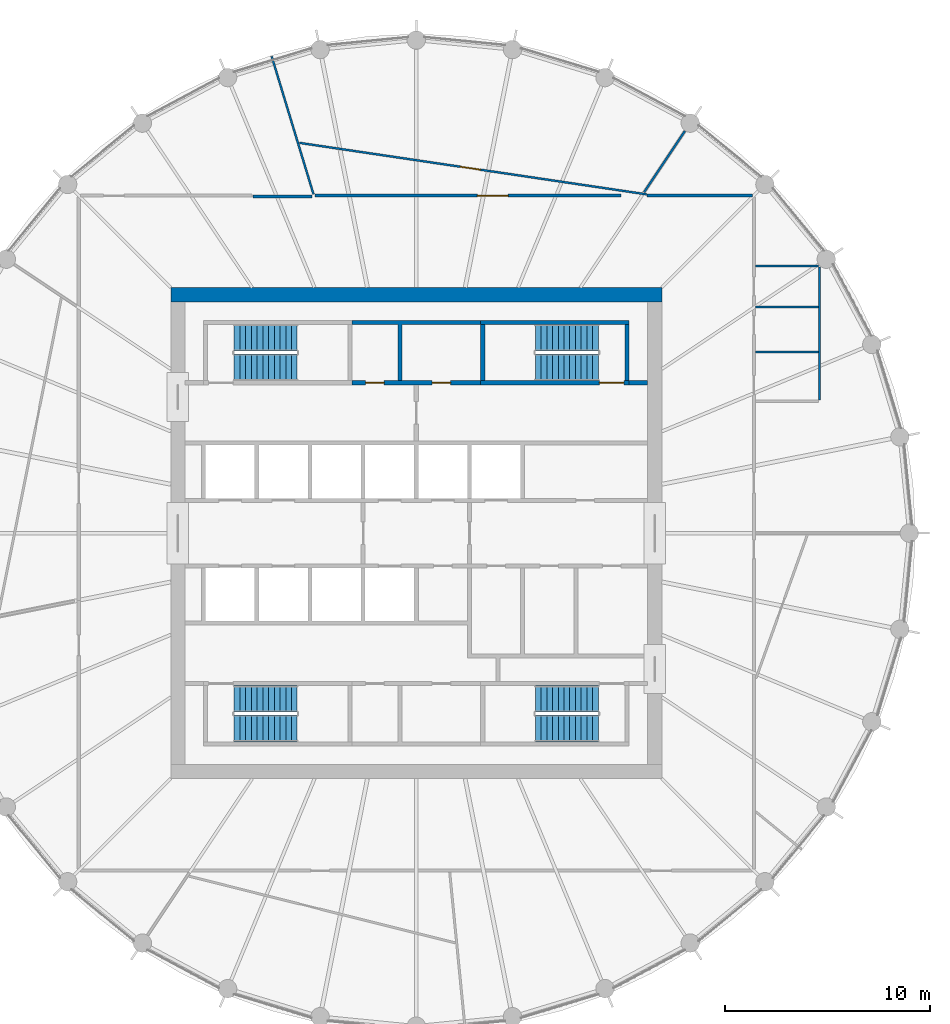
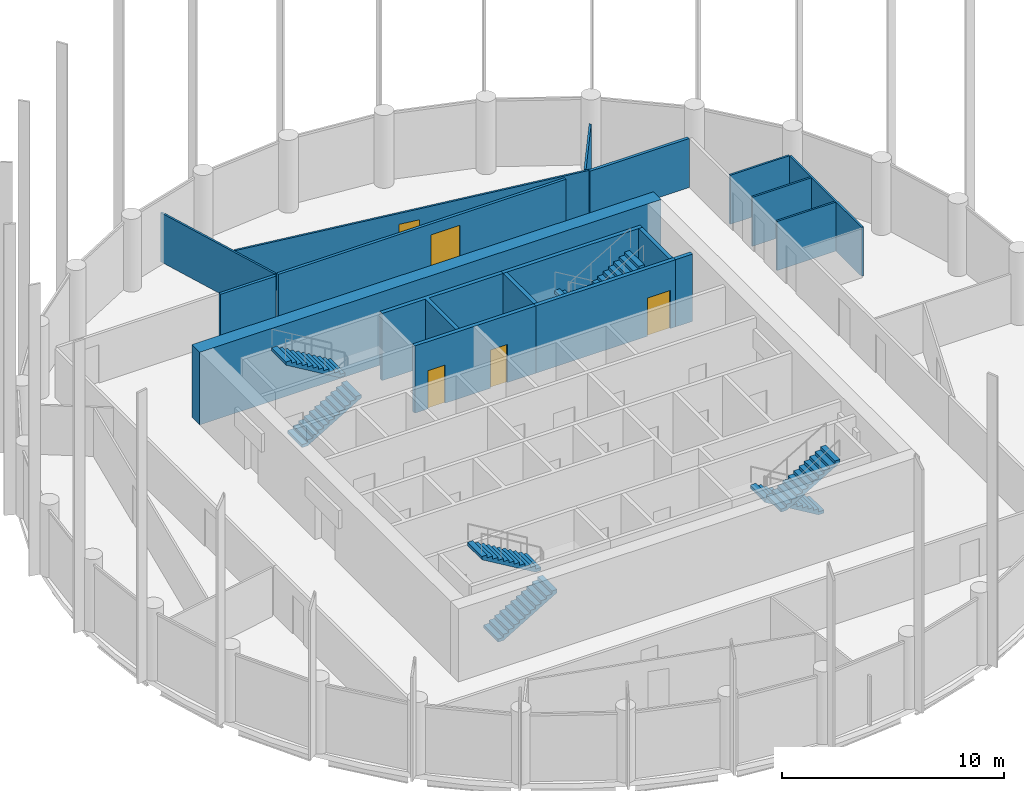
# One storey, part 6 of 7: 18 walls, 8 stair flights, 5 doors, 5 openings, 4 elements without a shape of their own.
"""IFC4 building model written with IfcOpenShell, lengths in metres."""

from ifc_helpers import new_model, si_unit, direction, frame, frame_2d, origin, place, context, subcontext, project, spatial, polyline, rectangle, outline, extrude, material, layer, layer_set, type_object, element, fill, aggregate, save


model = new_model("IFC4")

# Units and contexts
model_context = context("Model", 3, precision=1e-05, world=origin(), true_north=direction((0.0, 1.0)))
body_context = subcontext(model_context, "Body", "Model", "MODEL_VIEW")
ifc_project = project(units=[si_unit("LENGTHUNIT", "METRE"), si_unit("AREAUNIT", "SQUARE_METRE"), si_unit("VOLUMEUNIT", "CUBIC_METRE"), si_unit("PLANEANGLEUNIT", "RADIAN"), si_unit("MASSUNIT", "GRAM", prefix="KILO")], contexts=[model_context])

# Site, building, storey
site_placement = place(None, origin())
site = spatial("IfcSite", under=ifc_project, at=site_placement, CompositionType="ELEMENT")
building_placement = place(site_placement, origin())
building = spatial("IfcBuilding", under=site, at=building_placement, Name="Corvane Civic Tower", CompositionType="ELEMENT")
storey_placement = place(building_placement, frame((0.0, 0.0, 295.0)))
storey = spatial("IfcBuildingStorey", under=building, at=storey_placement, Name="L70", CompositionType="ELEMENT", Elevation=295.0)

# Wall
ifc_material_1 = material(Name="Concrete C40/50", Category="concrete")
ifc_layer_1 = layer(ifc_material_1, 0.699951171875)
ifc_layer_set_1 = layer_set([ifc_layer_1], Name="Concrete C40/50")
wall_type_1 = type_object("IfcWallType", Name="CORE WALL 700 C40/50", PredefinedType="SHEAR", material=ifc_layer_set_1)
wall_1_placement = place(storey_placement, frame((-12.0, 11.64990234375, 0.0), z_axis=(0.0, 0.0, 1.0), x_axis=(1.0, 0.0, 0.0)))
element("IfcWall", 1, at=wall_1_placement, inside=storey, type_object=wall_type_1, Name="W-L70-core-N", PredefinedType="SHEAR", context=body_context, shape_type="SweptSolid", body=[
    extrude(rectangle(XDim=24.0, YDim=0.699951171875, at=frame_2d((12.0, 0.0))), origin(), (0.0, 0.0, 1.0), 4.0),
])

# Wall, openings, doors
ifc_material_2 = material(Name="Concrete C30/37", Category="concrete")
ifc_layer_2 = layer(ifc_material_2, 0.199951171875)
ifc_layer_set_2 = layer_set([ifc_layer_2], Name="Concrete C30/37")
wall_type_2 = type_object("IfcWallType", Name="CR-WALL-200", PredefinedType="PARTITIONING", material=ifc_layer_set_2)
wall_2_placement = place(storey_placement, frame((-3.14990234375, 7.35009765625, 0.0), z_axis=(0.0, 0.0, 1.0), x_axis=(1.0, 0.0, 0.0)))
wall_2 = element("IfcWall", 2, at=wall_2_placement, inside=storey, type_object=wall_type_2, Name="L70 partition wall", PredefinedType="PARTITIONING", context=body_context, shape_type="SweptSolid", body=[
    extrude(rectangle(XDim=6.2998046875, YDim=0.199951171875, at=frame_2d((3.14990234375, 0.0))), origin(), (0.0, 0.0, 1.0), 3.699951171875),
])
opening_1_placement = place(wall_2_placement, frame((0.675048828125, 0.0, 0.0)))
opening_1 = element("IfcOpeningElement", 3, at=opening_1_placement, cuts=wall_2, Name="Opening L70.C06", PredefinedType="OPENING", context=body_context, shape_type="SweptSolid", body=[
    extrude(rectangle(XDim=0.89990234375, YDim=2.10009765625, at=frame_2d((0.449951171875, 1.050048828125))), frame((0.0, 0.10986328125, 0.0), z_axis=(0.0, -1.0, 0.0), x_axis=(1.0, 0.0, 0.0)), (0.0, 0.0, 1.0), 0.219970703125),
])
opening_2_placement = place(wall_2_placement, frame((3.925048828125, 0.0, 0.0)))
opening_2 = element("IfcOpeningElement", 4, at=opening_2_placement, cuts=wall_2, Name="Opening L70.C07", PredefinedType="OPENING", context=body_context, shape_type="SweptSolid", body=[
    extrude(rectangle(XDim=0.89990234375, YDim=2.10009765625, at=frame_2d((0.449951171875, 1.050048828125))), frame((0.0, 0.10986328125, 0.0), z_axis=(0.0, -1.0, 0.0), x_axis=(1.0, 0.0, 0.0)), (0.0, 0.0, 1.0), 0.219970703125),
])
ifc_material_3 = material(Name="Steel fire door leaf", Category="steel")
door_type_1 = type_object("IfcDoorType", Name="CR-DOOR-900", OperationType="SINGLE_SWING_LEFT", PredefinedType="DOOR", material=ifc_material_3)
door_1_placement = place(opening_1_placement, origin())
door_1 = element("IfcDoor", 5, at=door_1_placement, inside=storey, type_object=door_type_1, Name="L70 door", OperationType="SINGLE_SWING_LEFT", OverallHeight=2.10009765625, OverallWidth=0.89990234375, PredefinedType="DOOR", context=body_context, shape_type="SweptSolid", body=[
    extrude(rectangle(XDim=0.89990234375, YDim=2.10009765625, at=frame_2d((0.449951171875, 1.050048828125))), frame((0.0, 0.02490234375, 0.0), z_axis=(0.0, -1.0, 0.0), x_axis=(1.0, 0.0, 0.0)), (0.0, 0.0, 1.0), 0.050048828125),
])
fill(opening_1, door_1)
door_2_placement = place(opening_2_placement, origin())
door_2 = element("IfcDoor", 6, at=door_2_placement, inside=storey, type_object=door_type_1, Name="L70 door", OperationType="SINGLE_SWING_LEFT", OverallHeight=2.10009765625, OverallWidth=0.89990234375, PredefinedType="DOOR", context=body_context, shape_type="SweptSolid", body=[
    extrude(rectangle(XDim=0.89990234375, YDim=2.10009765625, at=frame_2d((0.449951171875, 1.050048828125))), frame((0.0, 0.02490234375, 0.0), z_axis=(0.0, -1.0, 0.0), x_axis=(1.0, 0.0, 0.0)), (0.0, 0.0, 1.0), 0.050048828125),
])
fill(opening_2, door_2)

# Walls
wall_3_placement = place(storey_placement, origin())
element("IfcWall", 7, at=wall_3_placement, inside=storey, type_object=wall_type_2, Name="L70 core partition wall", PredefinedType="PARTITIONING", context=body_context, shape_type="SweptSolid", body=[
    extrude(outline(polyline([(3.14990234375, 10.39990234375), (3.14990234375, 10.199951171875), (-0.699951171875, 10.199951171875), (-0.699951171875, 7.449951171875), (-0.89990234375, 7.449951171875), (-0.89990234375, 10.199951171875), (-3.14990234375, 10.199951171875), (-3.14990234375, 10.39990234375), (3.14990234375, 10.39990234375)])), origin(), (0.0, 0.0, 1.0), 3.699951171875),
])
wall_4_placement = place(storey_placement, origin())
element("IfcWall", 8, at=wall_4_placement, inside=storey, type_object=wall_type_2, Name="L70 core partition wall", PredefinedType="PARTITIONING", context=body_context, shape_type="SweptSolid", body=[
    extrude(outline(polyline([(10.39990234375, 7.25), (10.39990234375, 7.449951171875), (11.300048828125, 7.449951171875), (11.300048828125, 7.25), (10.39990234375, 7.25)])), origin(), (0.0, 0.0, 1.0), 3.699951171875),
])
ifc_material_4 = material(Name="Plasterboard")
ifc_layer_3 = layer(ifc_material_4, 0.10009765625)
ifc_layer_set_3 = layer_set([ifc_layer_3], Name="Plasterboard")
wall_type_3 = type_object("IfcWallType", Name="Partition 100 plasterboard on studs", PredefinedType="PARTITIONING", material=ifc_layer_set_3)
wall_5_placement = place(storey_placement, frame((19.699951171875, 6.4951171875, 0.0), z_axis=(0.0, 0.0, 1.0), x_axis=(0.0, 1.0, 0.0)))
element("IfcWall", 9, at=wall_5_placement, inside=storey, type_object=wall_type_3, Name="Partition L70.015", PredefinedType="PARTITIONING", context=body_context, shape_type="SweptSolid", body=[
    extrude(rectangle(XDim=6.5, YDim=0.10009765625, at=frame_2d((3.25, 0.0))), origin(), (0.0, 0.0, 1.0), 2.699951171875),
])
for number, where, z_axis, x_axis, name in (
    (10, (16.574951171875, 8.844970703125, 0.0), (0.0, 0.0, 1.0), (1.0, 0.0, 0.0), "Partition L70.016"),
    (11, (16.574951171875, 11.044921875, 0.0), (0.0, 0.0, 1.0), (1.0, 0.0, 0.0), "Partition L70.017"),
    (12, (16.574951171875, 13.044921875, 0.0), (0.0, 0.0, 1.0), (1.0, 0.0, 0.0), "Partition L70.019"),
):
    element("IfcWall", number, at=place(storey_placement, frame(where, z_axis=z_axis, x_axis=x_axis)), inside=storey, type_object=wall_type_3, Name=name, PredefinedType="PARTITIONING", context=body_context, shape_type="SweptSolid", body=[
        extrude(rectangle(XDim=3.074951171875, YDim=0.10009765625, at=frame_2d((1.53759765625, 0.0))), origin(), (0.0, 0.0, 1.0), 2.699951171875),
    ])
wall_6_placement = place(storey_placement, frame((-7.068603515625, 23.3017578125, 0.0), z_axis=(0.0, 0.0, 1.0), x_axis=(0.290279752693, -0.956941829568, 0.0)))
element("IfcWall", 13, at=wall_6_placement, inside=storey, type_object=wall_type_3, Name="Partition L70.024", PredefinedType="PARTITIONING", context=body_context, shape_type="SweptSolid", body=[
    extrude(rectangle(XDim=7.04052734375, YDim=0.10009765625, at=frame_2d((3.520263671875, 0.0))), origin(), (0.0, 0.0, 1.0), 2.699951171875),
])

# Wall, opening, door
wall_7_placement = place(storey_placement, frame((-5.711669921875, 19.074462890625, 0.0), z_axis=(0.0, 0.0, 1.0), x_axis=(0.989177097484, -0.146726513669, 0.0)))
wall_7 = element("IfcWall", 14, at=wall_7_placement, inside=storey, type_object=wall_type_3, Name="Partition L70.025", PredefinedType="PARTITIONING", context=body_context, shape_type="SweptSolid", body=[
    extrude(rectangle(XDim=17.163330078125, YDim=0.10009765625, at=frame_2d((8.58154296875, 0.0))), origin(), (0.0, 0.0, 1.0), 2.699951171875),
])
opening_3_placement = place(wall_7_placement, frame((7.948486328125, 0.0, 0.0)))
opening_3 = element("IfcOpeningElement", 15, at=opening_3_placement, cuts=wall_7, Name="Opening L70.014", PredefinedType="OPENING", context=body_context, shape_type="SweptSolid", body=[
    extrude(rectangle(XDim=1.0, YDim=2.10009765625, at=frame_2d((0.5, 1.050048828125))), frame((0.0, 0.06005859375, 0.0), z_axis=(0.0, -1.0, 0.0), x_axis=(1.0, 0.0, 0.0)), (0.0, 0.0, 1.0), 0.1201171875),
])
ifc_material_5 = material(Name="Timber", Category="wood")
door_type_2 = type_object("IfcDoorType", Name="Single door 1000", OperationType="NOTDEFINED", PredefinedType="DOOR", material=ifc_material_5)
door_3_placement = place(opening_3_placement, origin())
door_3 = element("IfcDoor", 16, at=door_3_placement, inside=storey, type_object=door_type_2, Name="Door L70.014", OperationType="SINGLE_SWING_LEFT", OverallHeight=2.10009765625, OverallWidth=1.0, PredefinedType="DOOR", context=body_context, shape_type="SweptSolid", body=[
    extrude(rectangle(XDim=1.0, YDim=2.10009765625, at=frame_2d((0.5, 1.050048828125))), frame((0.0, 0.02490234375, 0.0), z_axis=(0.0, -1.0, 0.0), x_axis=(1.0, 0.0, 0.0)), (0.0, 0.0, 1.0), 0.050048828125),
])
fill(opening_3, door_3)

# Wall
wall_8_placement = place(storey_placement, frame((11.1328125, 16.661376953125, 0.0), z_axis=(0.0, 0.0, 1.0), x_axis=(0.555529029724, 0.831497141988, 0.0)))
element("IfcWall", 17, at=wall_8_placement, inside=storey, type_object=wall_type_3, Name="Partition L70.026", PredefinedType="PARTITIONING", context=body_context, shape_type="SweptSolid", body=[
    extrude(rectangle(XDim=3.6015625, YDim=0.10009765625, at=frame_2d((1.80078125, 0.0))), origin(), (0.0, 0.0, 1.0), 2.699951171875),
])

# Wall, opening, door
ifc_material_6 = material(Name="Concrete C50/60", Category="concrete")
ifc_layer_4 = layer(ifc_material_6, 0.199951171875)
ifc_layer_set_4 = layer_set([ifc_layer_4], Name="Concrete C50/60")
wall_type_4 = type_object("IfcWallType", Name="ST-WALL-200", PredefinedType="SHEAR", material=ifc_layer_set_4)
wall_9_placement = place(storey_placement, frame((3.14990234375, 7.35009765625, 0.0), z_axis=(0.0, 0.0, 1.0), x_axis=(1.0, 0.0, 0.0)))
wall_9 = element("IfcWall", 18, at=wall_9_placement, inside=storey, type_object=wall_type_4, Name="L70 stair enclosure wall", PredefinedType="SHEAR", context=body_context, shape_type="SweptSolid", body=[
    extrude(rectangle(XDim=7.25, YDim=0.199951171875, at=frame_2d((3.625, 0.0))), origin(), (0.0, 0.0, 1.0), 3.699951171875),
])
opening_4_placement = place(wall_9_placement, frame((5.800048828125, 0.0, 0.0)))
opening_4 = element("IfcOpeningElement", 19, at=opening_4_placement, cuts=wall_9, Name="Opening L70.C10", PredefinedType="OPENING", context=body_context, shape_type="SweptSolid", body=[
    extrude(rectangle(XDim=1.199951171875, YDim=2.10009765625, at=frame_2d((0.60009765625, 1.050048828125))), frame((0.0, 0.10986328125, 0.0), z_axis=(0.0, -1.0, 0.0), x_axis=(1.0, 0.0, 0.0)), (0.0, 0.0, 1.0), 0.219970703125),
])
ifc_material_7 = material(Name="Steel fire door leaf", Category="steel")
door_type_3 = type_object("IfcDoorType", Name="ST-DOOR-1200", OperationType="SINGLE_SWING_RIGHT", PredefinedType="DOOR", material=ifc_material_7)
door_4_placement = place(opening_4_placement, origin())
door_4 = element("IfcDoor", 20, at=door_4_placement, inside=storey, type_object=door_type_3, Name="L70 stair door", OperationType="SINGLE_SWING_RIGHT", OverallHeight=2.10009765625, OverallWidth=1.199951171875, PredefinedType="DOOR", context=body_context, shape_type="SweptSolid", body=[
    extrude(rectangle(XDim=1.199951171875, YDim=2.10009765625, at=frame_2d((0.60009765625, 1.050048828125))), frame((0.0, 0.02490234375, 0.0), z_axis=(0.0, -1.0, 0.0), x_axis=(1.0, 0.0, 0.0)), (0.0, 0.0, 1.0), 0.050048828125),
])
fill(opening_4, door_4)

# Walls
wall_10_placement = place(storey_placement, origin())
element("IfcWall", 21, at=wall_10_placement, inside=storey, type_object=wall_type_4, Name="L70 stair enclosure wall", PredefinedType="SHEAR", context=body_context, shape_type="SweptSolid", body=[
    extrude(outline(polyline([(10.39990234375, 10.199951171875), (3.14990234375, 10.199951171875), (3.14990234375, 10.39990234375), (10.39990234375, 10.39990234375), (10.39990234375, 10.199951171875)])), origin(), (0.0, 0.0, 1.0), 3.699951171875),
])
wall_11_placement = place(storey_placement, origin())
element("IfcWall", 22, at=wall_11_placement, inside=storey, type_object=wall_type_4, Name="L70 stair enclosure wall", PredefinedType="SHEAR", context=body_context, shape_type="SweptSolid", body=[
    extrude(outline(polyline([(3.35009765625, 7.449951171875), (3.14990234375, 7.449951171875), (3.14990234375, 10.199951171875), (3.35009765625, 10.199951171875), (3.35009765625, 7.449951171875)])), origin(), (0.0, 0.0, 1.0), 3.699951171875),
])
wall_12_placement = place(storey_placement, origin())
element("IfcWall", 23, at=wall_12_placement, inside=storey, type_object=wall_type_4, Name="L70 stair enclosure wall", PredefinedType="SHEAR", context=body_context, shape_type="SweptSolid", body=[
    extrude(outline(polyline([(10.39990234375, 7.449951171875), (10.199951171875, 7.449951171875), (10.199951171875, 10.199951171875), (10.39990234375, 10.199951171875), (10.39990234375, 7.449951171875)])), origin(), (0.0, 0.0, 1.0), 3.699951171875),
])
ifc_material_8 = material(Name="Plasterboard")
ifc_layer_5 = layer(ifc_material_8, 0.14990234375)
ifc_layer_set_5 = layer_set([ifc_layer_5], Name="Plasterboard")
wall_type_5 = type_object("IfcWallType", Name="Tenancy wall 150 EI 60", PredefinedType="PARTITIONING", material=ifc_layer_set_5)
wall_13_placement = place(storey_placement, frame((-7.97705078125, 16.449951171875, 0.0), z_axis=(0.0, 0.0, 1.0), x_axis=(1.0, 0.0, 0.0)))
element("IfcWall", 24, at=wall_13_placement, inside=storey, type_object=wall_type_5, Name="Partition L70.020", PredefinedType="PARTITIONING", context=body_context, shape_type="SweptSolid", body=[
    extrude(rectangle(XDim=2.8857421875, YDim=0.14990234375, at=frame_2d((1.44287109375, 0.0))), origin(), (0.0, 0.0, 1.0), 2.699951171875),
])

# Wall, opening, door
wall_14_placement = place(storey_placement, frame((-4.94970703125, 16.5, 0.0), z_axis=(0.0, 0.0, 1.0), x_axis=(1.0, 0.0, 0.0)))
wall_14 = element("IfcWall", 25, at=wall_14_placement, inside=storey, type_object=wall_type_5, Name="Partition L70.022", PredefinedType="PARTITIONING", context=body_context, shape_type="SweptSolid", body=[
    extrude(rectangle(XDim=14.9580078125, YDim=0.14990234375, at=frame_2d((7.47900390625, 0.0))), origin(), (0.0, 0.0, 1.0), 2.699951171875),
])
opening_5_placement = place(wall_14_placement, frame((7.93701171875, 0.0, 0.0)))
opening_5 = element("IfcOpeningElement", 26, at=opening_5_placement, cuts=wall_14, Name="Opening L70.015", PredefinedType="OPENING", context=body_context, shape_type="SweptSolid", body=[
    extrude(rectangle(XDim=1.5, YDim=2.10009765625, at=frame_2d((0.75, 1.050048828125))), frame((0.0, 0.0849609375, 0.0), z_axis=(0.0, -1.0, 0.0), x_axis=(1.0, 0.0, 0.0)), (0.0, 0.0, 1.0), 0.169921875),
])
ifc_material_9 = material(Name="Steel and timber", Category="steel")
door_type_4 = type_object("IfcDoorType", Name="Fire door FD60 double 1500", OperationType="NOTDEFINED", PredefinedType="DOOR", material=ifc_material_9)
door_5_placement = place(opening_5_placement, origin())
door_5 = element("IfcDoor", 27, at=door_5_placement, inside=storey, type_object=door_type_4, Name="Door L70.015", OperationType="DOUBLE_DOOR_SINGLE_SWING", OverallHeight=2.10009765625, OverallWidth=1.5, PredefinedType="DOOR", context=body_context, shape_type="SweptSolid", body=[
    extrude(rectangle(XDim=1.5, YDim=2.10009765625, at=frame_2d((0.75, 1.050048828125))), frame((0.0, 0.02490234375, 0.0), z_axis=(0.0, -1.0, 0.0), x_axis=(1.0, 0.0, 0.0)), (0.0, 0.0, 1.0), 0.050048828125),
])
fill(opening_5, door_5)

# Wall
wall_15_placement = place(storey_placement, frame((11.265869140625, 16.5, 0.0), z_axis=(0.0, 0.0, 1.0), x_axis=(1.0, 0.0, 0.0)))
element("IfcWall", 28, at=wall_15_placement, inside=storey, type_object=wall_type_5, Name="Partition L70.023", PredefinedType="PARTITIONING", context=body_context, shape_type="SweptSolid", body=[
    extrude(rectangle(XDim=5.1591796875, YDim=0.14990234375, at=frame_2d((2.57958984375, 0.0))), origin(), (0.0, 0.0, 1.0), 2.699951171875),
])

# Stair, stair flights
ifc_material_10 = material(Name="Concrete C40/50", Category="concrete")
stair_type = type_object("IfcStairType", Name="ST-STAIR-HALFTURN", PredefinedType="HALF_TURN_STAIR", material=ifc_material_10)
stair_1_placement = place(storey_placement, origin())
stair_1 = element("IfcStair", 29, at=stair_1_placement, inside=storey, type_object=stair_type, Name="L70 Exit stair ST1", PredefinedType="HALF_TURN_STAIR")
ifc_material_11 = material(Name="Concrete C40/50", Category="concrete")
stair_flight_type = type_object("IfcStairFlightType", Name="ST-FLIGHT-RC", PredefinedType="STRAIGHT", material=ifc_material_11)
stair_flight_1_placement = place(storey_placement, frame((8.89990234375, 9.550048828125, 0.0), z_axis=(0.0, 0.0, 1.0), x_axis=(-1.0, 0.0, 0.0)))
stair_flight_1 = element("IfcStairFlight", 30, at=stair_flight_1_placement, type_object=stair_flight_type, Name="ST1 flight 1", NumberOfRisers=12, NumberOfTreads=11, PredefinedType="STRAIGHT", RiserHeight=0.166666667, TreadLength=0.28, context=body_context, shape_type="SweptSolid", body=[
    extrude(outline(polyline([(0.0, 0.0), (0.0, 0.166748046875), (0.280029296875, 0.166748046875), (0.280029296875, 0.333251953125), (0.56005859375, 0.333251953125), (0.56005859375, 0.5), (0.840087890625, 0.5), (0.840087890625, 0.666748046875), (1.1201171875, 0.666748046875), (1.1201171875, 0.833251953125), (1.39990234375, 0.833251953125), (1.39990234375, 1.0), (1.679931640625, 1.0), (1.679931640625, 1.166748046875), (1.9599609375, 1.166748046875), (1.9599609375, 1.333251953125), (2.239990234375, 1.333251953125), (2.239990234375, 1.5), (2.52001953125, 1.5), (2.52001953125, 1.666748046875), (2.800048828125, 1.666748046875), (2.800048828125, 1.833251953125), (3.080078125, 1.833251953125), (3.080078125, 2.0), (3.080078125, 1.658935546875), (0.29296875, 0.0), (0.0, 0.0)])), frame((0.0, 0.64990234375, 0.0), z_axis=(0.0, -1.0, 0.0), x_axis=(1.0, 0.0, 0.0)), (0.0, 0.0, 1.0), 1.300048828125),
])
stair_flight_2_placement = place(storey_placement, frame((5.820068359375, 8.10009765625, 2.0), z_axis=(0.0, 0.0, 1.0), x_axis=(1.0, 0.0, 0.0)))
stair_flight_2 = element("IfcStairFlight", 31, at=stair_flight_2_placement, type_object=stair_flight_type, Name="ST1 flight 2", NumberOfRisers=12, NumberOfTreads=11, PredefinedType="STRAIGHT", RiserHeight=0.166666667, TreadLength=0.28, context=body_context, shape_type="SweptSolid", body=[
    extrude(outline(polyline([(0.0, 0.0), (0.0, 0.166748046875), (0.280029296875, 0.166748046875), (0.280029296875, 0.333251953125), (0.56005859375, 0.333251953125), (0.56005859375, 0.5), (0.840087890625, 0.5), (0.840087890625, 0.666748046875), (1.1201171875, 0.666748046875), (1.1201171875, 0.833251953125), (1.39990234375, 0.833251953125), (1.39990234375, 1.0), (1.679931640625, 1.0), (1.679931640625, 1.166748046875), (1.9599609375, 1.166748046875), (1.9599609375, 1.333251953125), (2.239990234375, 1.333251953125), (2.239990234375, 1.5), (2.52001953125, 1.5), (2.52001953125, 1.666748046875), (2.800048828125, 1.666748046875), (2.800048828125, 1.833251953125), (3.080078125, 1.833251953125), (3.080078125, 2.0), (3.080078125, 1.658935546875), (0.29296875, 0.0), (0.0, 0.0)])), frame((0.0, 0.64990234375, 0.0), z_axis=(0.0, -1.0, 0.0), x_axis=(1.0, 0.0, 0.0)), (0.0, 0.0, 1.0), 1.300048828125),
])
aggregate(stair_1, [stair_flight_1, stair_flight_2])

stair_2_placement = place(storey_placement, origin())
stair_2 = element("IfcStair", 32, at=stair_2_placement, inside=storey, type_object=stair_type, Name="L70 Exit stair ST2", PredefinedType="HALF_TURN_STAIR")
stair_flight_3_placement = place(storey_placement, frame((8.89990234375, -8.10009765625, 0.0), z_axis=(0.0, 0.0, 1.0), x_axis=(-1.0, 0.0, 0.0)))
stair_flight_3 = element("IfcStairFlight", 33, at=stair_flight_3_placement, type_object=stair_flight_type, Name="ST2 flight 1", NumberOfRisers=12, NumberOfTreads=11, PredefinedType="STRAIGHT", RiserHeight=0.166666667, TreadLength=0.28, context=body_context, shape_type="SweptSolid", body=[
    extrude(outline(polyline([(0.0, 0.0), (0.0, 0.166748046875), (0.280029296875, 0.166748046875), (0.280029296875, 0.333251953125), (0.56005859375, 0.333251953125), (0.56005859375, 0.5), (0.840087890625, 0.5), (0.840087890625, 0.666748046875), (1.1201171875, 0.666748046875), (1.1201171875, 0.833251953125), (1.39990234375, 0.833251953125), (1.39990234375, 1.0), (1.679931640625, 1.0), (1.679931640625, 1.166748046875), (1.9599609375, 1.166748046875), (1.9599609375, 1.333251953125), (2.239990234375, 1.333251953125), (2.239990234375, 1.5), (2.52001953125, 1.5), (2.52001953125, 1.666748046875), (2.800048828125, 1.666748046875), (2.800048828125, 1.833251953125), (3.080078125, 1.833251953125), (3.080078125, 2.0), (3.080078125, 1.658935546875), (0.29296875, 0.0), (0.0, 0.0)])), frame((0.0, 0.64990234375, 0.0), z_axis=(0.0, -1.0, 0.0), x_axis=(1.0, 0.0, 0.0)), (0.0, 0.0, 1.0), 1.300048828125),
])
stair_flight_4_placement = place(storey_placement, frame((5.820068359375, -9.550048828125, 2.0), z_axis=(0.0, 0.0, 1.0), x_axis=(1.0, 0.0, 0.0)))
stair_flight_4 = element("IfcStairFlight", 34, at=stair_flight_4_placement, type_object=stair_flight_type, Name="ST2 flight 2", NumberOfRisers=12, NumberOfTreads=11, PredefinedType="STRAIGHT", RiserHeight=0.166666667, TreadLength=0.28, context=body_context, shape_type="SweptSolid", body=[
    extrude(outline(polyline([(0.0, 0.0), (0.0, 0.166748046875), (0.280029296875, 0.166748046875), (0.280029296875, 0.333251953125), (0.56005859375, 0.333251953125), (0.56005859375, 0.5), (0.840087890625, 0.5), (0.840087890625, 0.666748046875), (1.1201171875, 0.666748046875), (1.1201171875, 0.833251953125), (1.39990234375, 0.833251953125), (1.39990234375, 1.0), (1.679931640625, 1.0), (1.679931640625, 1.166748046875), (1.9599609375, 1.166748046875), (1.9599609375, 1.333251953125), (2.239990234375, 1.333251953125), (2.239990234375, 1.5), (2.52001953125, 1.5), (2.52001953125, 1.666748046875), (2.800048828125, 1.666748046875), (2.800048828125, 1.833251953125), (3.080078125, 1.833251953125), (3.080078125, 2.0), (3.080078125, 1.658935546875), (0.29296875, 0.0), (0.0, 0.0)])), frame((0.0, 0.64990234375, 0.0), z_axis=(0.0, -1.0, 0.0), x_axis=(1.0, 0.0, 0.0)), (0.0, 0.0, 1.0), 1.300048828125),
])
aggregate(stair_2, [stair_flight_3, stair_flight_4])

stair_3_placement = place(storey_placement, origin())
stair_3 = element("IfcStair", 35, at=stair_3_placement, inside=storey, type_object=stair_type, Name="L70 Exit stair ST3", PredefinedType="HALF_TURN_STAIR")
stair_flight_5_placement = place(storey_placement, frame((-8.89990234375, -9.550048828125, 0.0), z_axis=(0.0, 0.0, 1.0), x_axis=(1.0, 0.0, 0.0)))
stair_flight_5 = element("IfcStairFlight", 36, at=stair_flight_5_placement, type_object=stair_flight_type, Name="ST3 flight 1", NumberOfRisers=12, NumberOfTreads=11, PredefinedType="STRAIGHT", RiserHeight=0.166666667, TreadLength=0.28, context=body_context, shape_type="SweptSolid", body=[
    extrude(outline(polyline([(0.0, 0.0), (0.0, 0.166748046875), (0.280029296875, 0.166748046875), (0.280029296875, 0.333251953125), (0.56005859375, 0.333251953125), (0.56005859375, 0.5), (0.840087890625, 0.5), (0.840087890625, 0.666748046875), (1.1201171875, 0.666748046875), (1.1201171875, 0.833251953125), (1.39990234375, 0.833251953125), (1.39990234375, 1.0), (1.679931640625, 1.0), (1.679931640625, 1.166748046875), (1.9599609375, 1.166748046875), (1.9599609375, 1.333251953125), (2.239990234375, 1.333251953125), (2.239990234375, 1.5), (2.52001953125, 1.5), (2.52001953125, 1.666748046875), (2.800048828125, 1.666748046875), (2.800048828125, 1.833251953125), (3.080078125, 1.833251953125), (3.080078125, 2.0), (3.080078125, 1.658935546875), (0.29296875, 0.0), (0.0, 0.0)])), frame((0.0, 0.64990234375, 0.0), z_axis=(0.0, -1.0, 0.0), x_axis=(1.0, 0.0, 0.0)), (0.0, 0.0, 1.0), 1.300048828125),
])
stair_flight_6_placement = place(storey_placement, frame((-5.820068359375, -8.10009765625, 2.0), z_axis=(0.0, 0.0, 1.0), x_axis=(-1.0, 0.0, 0.0)))
stair_flight_6 = element("IfcStairFlight", 37, at=stair_flight_6_placement, type_object=stair_flight_type, Name="ST3 flight 2", NumberOfRisers=12, NumberOfTreads=11, PredefinedType="STRAIGHT", RiserHeight=0.166666667, TreadLength=0.28, context=body_context, shape_type="SweptSolid", body=[
    extrude(outline(polyline([(0.0, 0.0), (0.0, 0.166748046875), (0.280029296875, 0.166748046875), (0.280029296875, 0.333251953125), (0.56005859375, 0.333251953125), (0.56005859375, 0.5), (0.840087890625, 0.5), (0.840087890625, 0.666748046875), (1.1201171875, 0.666748046875), (1.1201171875, 0.833251953125), (1.39990234375, 0.833251953125), (1.39990234375, 1.0), (1.679931640625, 1.0), (1.679931640625, 1.166748046875), (1.9599609375, 1.166748046875), (1.9599609375, 1.333251953125), (2.239990234375, 1.333251953125), (2.239990234375, 1.5), (2.52001953125, 1.5), (2.52001953125, 1.666748046875), (2.800048828125, 1.666748046875), (2.800048828125, 1.833251953125), (3.080078125, 1.833251953125), (3.080078125, 2.0), (3.080078125, 1.658935546875), (0.29296875, 0.0), (0.0, 0.0)])), frame((0.0, 0.64990234375, 0.0), z_axis=(0.0, -1.0, 0.0), x_axis=(1.0, 0.0, 0.0)), (0.0, 0.0, 1.0), 1.300048828125),
])
aggregate(stair_3, [stair_flight_5, stair_flight_6])

stair_4_placement = place(storey_placement, origin())
stair_4 = element("IfcStair", 38, at=stair_4_placement, inside=storey, type_object=stair_type, Name="L70 Exit stair ST4", PredefinedType="HALF_TURN_STAIR")
stair_flight_7_placement = place(storey_placement, frame((-8.89990234375, 8.10009765625, 0.0), z_axis=(0.0, 0.0, 1.0), x_axis=(1.0, 0.0, 0.0)))
stair_flight_7 = element("IfcStairFlight", 39, at=stair_flight_7_placement, type_object=stair_flight_type, Name="ST4 flight 1", NumberOfRisers=12, NumberOfTreads=11, PredefinedType="STRAIGHT", RiserHeight=0.166666667, TreadLength=0.28, context=body_context, shape_type="SweptSolid", body=[
    extrude(outline(polyline([(0.0, 0.0), (0.0, 0.166748046875), (0.280029296875, 0.166748046875), (0.280029296875, 0.333251953125), (0.56005859375, 0.333251953125), (0.56005859375, 0.5), (0.840087890625, 0.5), (0.840087890625, 0.666748046875), (1.1201171875, 0.666748046875), (1.1201171875, 0.833251953125), (1.39990234375, 0.833251953125), (1.39990234375, 1.0), (1.679931640625, 1.0), (1.679931640625, 1.166748046875), (1.9599609375, 1.166748046875), (1.9599609375, 1.333251953125), (2.239990234375, 1.333251953125), (2.239990234375, 1.5), (2.52001953125, 1.5), (2.52001953125, 1.666748046875), (2.800048828125, 1.666748046875), (2.800048828125, 1.833251953125), (3.080078125, 1.833251953125), (3.080078125, 2.0), (3.080078125, 1.658935546875), (0.29296875, 0.0), (0.0, 0.0)])), frame((0.0, 0.64990234375, 0.0), z_axis=(0.0, -1.0, 0.0), x_axis=(1.0, 0.0, 0.0)), (0.0, 0.0, 1.0), 1.300048828125),
])
stair_flight_8_placement = place(storey_placement, frame((-5.820068359375, 9.550048828125, 2.0), z_axis=(0.0, 0.0, 1.0), x_axis=(-1.0, 0.0, 0.0)))
stair_flight_8 = element("IfcStairFlight", 40, at=stair_flight_8_placement, type_object=stair_flight_type, Name="ST4 flight 2", NumberOfRisers=12, NumberOfTreads=11, PredefinedType="STRAIGHT", RiserHeight=0.166666667, TreadLength=0.28, context=body_context, shape_type="SweptSolid", body=[
    extrude(outline(polyline([(0.0, 0.0), (0.0, 0.166748046875), (0.280029296875, 0.166748046875), (0.280029296875, 0.333251953125), (0.56005859375, 0.333251953125), (0.56005859375, 0.5), (0.840087890625, 0.5), (0.840087890625, 0.666748046875), (1.1201171875, 0.666748046875), (1.1201171875, 0.833251953125), (1.39990234375, 0.833251953125), (1.39990234375, 1.0), (1.679931640625, 1.0), (1.679931640625, 1.166748046875), (1.9599609375, 1.166748046875), (1.9599609375, 1.333251953125), (2.239990234375, 1.333251953125), (2.239990234375, 1.5), (2.52001953125, 1.5), (2.52001953125, 1.666748046875), (2.800048828125, 1.666748046875), (2.800048828125, 1.833251953125), (3.080078125, 1.833251953125), (3.080078125, 2.0), (3.080078125, 1.658935546875), (0.29296875, 0.0), (0.0, 0.0)])), frame((0.0, 0.64990234375, 0.0), z_axis=(0.0, -1.0, 0.0), x_axis=(1.0, 0.0, 0.0)), (0.0, 0.0, 1.0), 1.300048828125),
])
aggregate(stair_4, [stair_flight_7, stair_flight_8])

save(model, "model.ifc")
